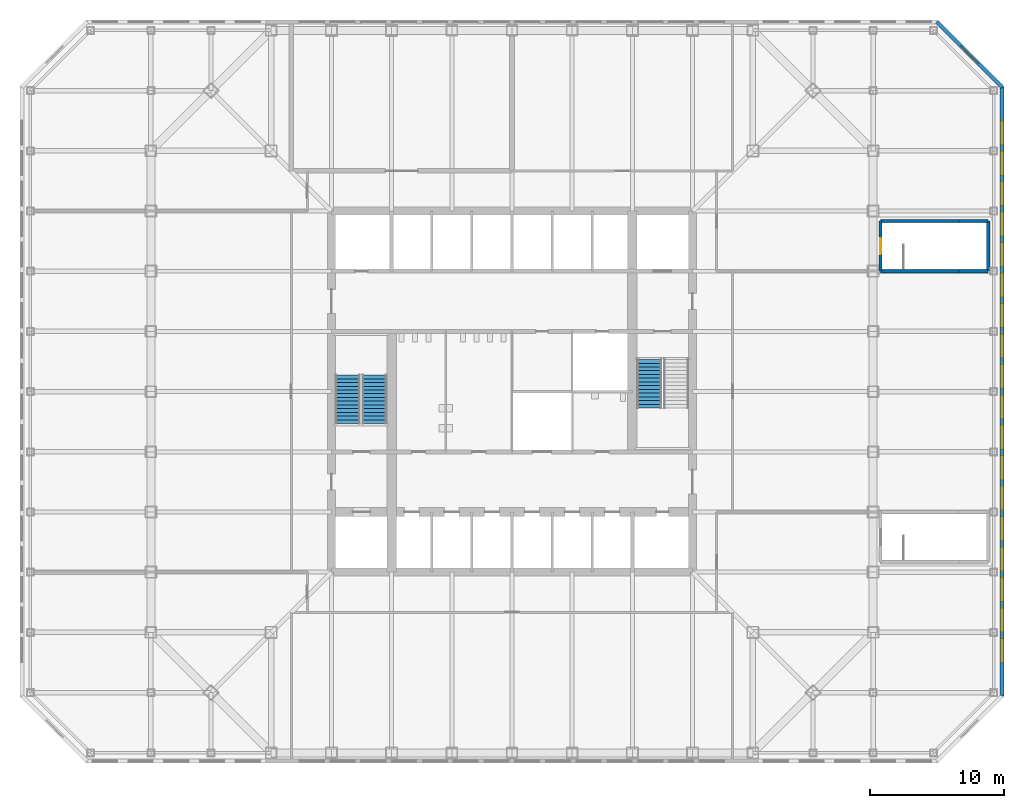
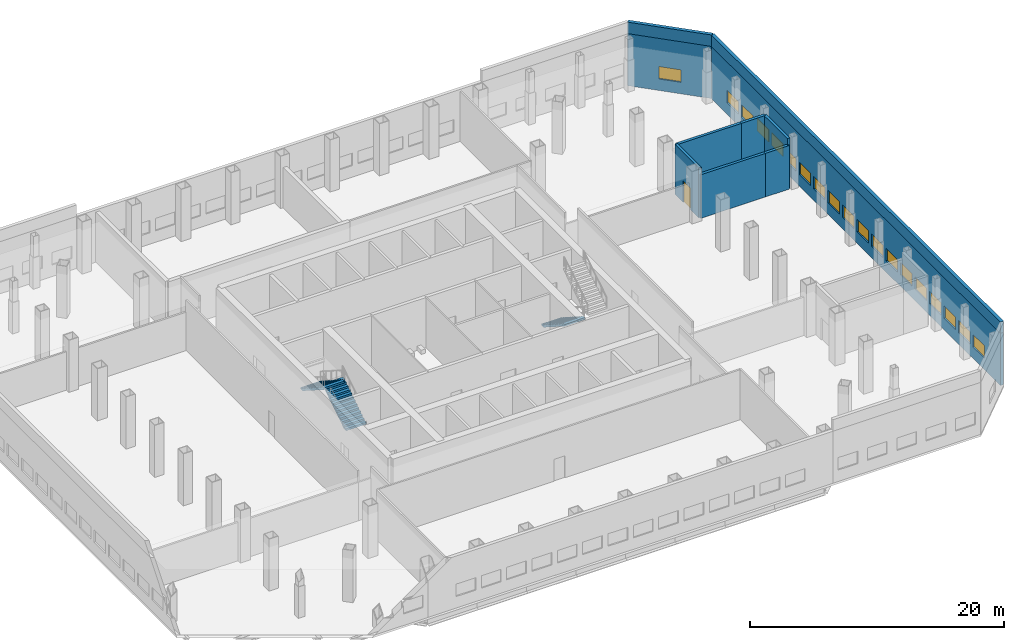
# One storey, part 11 of 14: 19 windows, 10 walls, 3 stair flights, 1 door, 20 openings, 2 elements without a shape of their own.
"""IFC4 building model written with IfcOpenShell, lengths in metres."""

from ifc_helpers import new_model, si_unit, direction, frame, frame_2d, origin, place, context, subcontext, project, spatial, polyline, rectangle, outline, extrude, material, layer, layer_set, type_object, element, fill, aggregate, save


model = new_model("IFC4")

# Units and contexts
model_context = context("Model", 3, precision=1e-05, world=origin(), true_north=direction((0.0, 1.0)))
body_context = subcontext(model_context, "Body", "Model", "MODEL_VIEW")
ifc_project = project(units=[si_unit("LENGTHUNIT", "METRE"), si_unit("AREAUNIT", "SQUARE_METRE"), si_unit("VOLUMEUNIT", "CUBIC_METRE"), si_unit("PLANEANGLEUNIT", "RADIAN"), si_unit("MASSUNIT", "GRAM", prefix="KILO")], contexts=[model_context])

# Site, building, storey
site_placement = place(None, origin())
site = spatial("IfcSite", under=ifc_project, at=site_placement, CompositionType="ELEMENT")
building_placement = place(site_placement, origin())
building = spatial("IfcBuilding", under=site, at=building_placement, Name="Corais Broadcast Tower", CompositionType="ELEMENT")
storey_placement = place(building_placement, frame((0.0, 0.0, 18.0)))
storey = spatial("IfcBuildingStorey", under=building, at=storey_placement, Name="L03", CompositionType="ELEMENT", Elevation=18.0)

# Walls
ifc_material_1 = material(Name="Precast concrete C40/50", Category="concrete")
ifc_layer_1 = layer(ifc_material_1, 0.300048828125)
ifc_layer_set_1 = layer_set([ifc_layer_1], Name="Precast concrete C40/50")
wall_type_1 = type_object("IfcWallType", Name="Parapet wall 300", PredefinedType="PARAPET", material=ifc_layer_set_1)
wall_1_placement = place(storey_placement, frame((58.760986328125, 54.6298828125, 5.0), z_axis=(0.0, 0.0, 1.0), x_axis=(0.707106781187, -0.707106781187, 0.0)))
element("IfcWall", 1, at=wall_1_placement, inside=storey, type_object=wall_type_1, Name="PW1 parapet L03", PredefinedType="PARAPET", context=body_context, shape_type="SweptSolid", body=[
    extrude(rectangle(XDim=6.8857421875, YDim=0.300048828125, at=frame_2d((3.44287109375, 0.0))), origin(), (0.0, 0.0, 1.0), 1.10009765625),
])
wall_2_placement = place(storey_placement, frame((63.6298828125, 49.760986328125, 5.0), z_axis=(0.0, 0.0, 1.0), x_axis=(0.0, -1.0, 0.0)))
element("IfcWall", 2, at=wall_2_placement, inside=storey, type_object=wall_type_1, Name="PW1 parapet L03", PredefinedType="PARAPET", context=body_context, shape_type="SweptSolid", body=[
    extrude(rectangle(XDim=45.52197265625, YDim=0.300048828125, at=frame_2d((22.760986328125, 0.0))), origin(), (0.0, 0.0, 1.0), 1.10009765625),
])
ifc_material_2 = material(Name="Concrete blockwork class A", Category="masonry")
ifc_layer_2 = layer(ifc_material_2, 0.25)
ifc_layer_set_2 = layer_set([ifc_layer_2], Name="Concrete blockwork class A")
wall_type_2 = type_object("IfcWallType", Name="Stair enclosure blockwork 250", PredefinedType="PARTITIONING", material=ifc_layer_set_2)
wall_3_placement = place(storey_placement, frame((54.550048828125, 36.0, 0.0), z_axis=(0.0, 0.0, 1.0), x_axis=(1.0, 0.0, 0.0)))
element("IfcWall", 3, at=wall_3_placement, inside=storey, type_object=wall_type_2, Name="IW6 stair E enclosure L03", PredefinedType="PARTITIONING", context=body_context, shape_type="SweptSolid", body=[
    extrude(rectangle(XDim=5.849853515625, YDim=0.25, at=frame_2d((2.9248046875, 0.0))), origin(), (0.0, 0.0, 1.0), 4.18896484375),
])
wall_4_placement = place(storey_placement, frame((60.39990234375, 39.75, 0.0), z_axis=(0.0, 0.0, 1.0), x_axis=(-1.0, 0.0, 0.0)))
element("IfcWall", 4, at=wall_4_placement, inside=storey, type_object=wall_type_2, Name="IW6 stair E enclosure L03", PredefinedType="PARTITIONING", context=body_context, shape_type="SweptSolid", body=[
    extrude(rectangle(XDim=5.849853515625, YDim=0.25, at=frame_2d((2.9248046875, 0.0))), origin(), (0.0, 0.0, 1.0), 4.800048828125),
])

# Wall, opening, door
wall_5_placement = place(storey_placement, frame((54.550048828125, 39.75, 0.0), z_axis=(0.0, 0.0, 1.0), x_axis=(0.0, -1.0, 0.0)))
wall_5 = element("IfcWall", 5, at=wall_5_placement, inside=storey, type_object=wall_type_2, Name="IW6 stair E enclosure L03", PredefinedType="PARTITIONING", context=body_context, shape_type="SweptSolid", body=[
    extrude(rectangle(XDim=3.75, YDim=0.25, at=frame_2d((1.875, 0.0))), origin(), (0.0, 0.0, 1.0), 4.800048828125),
])
opening_1_placement = place(wall_5_placement, frame((1.27490234375, 0.0, 0.0)))
opening_1 = element("IfcOpeningElement", 6, at=opening_1_placement, cuts=wall_5, Name="Opening FD1", PredefinedType="OPENING", context=body_context, shape_type="SweptSolid", body=[
    extrude(rectangle(XDim=1.199951171875, YDim=2.10009765625, at=frame_2d((0.60009765625, 1.050048828125))), frame((0.0, 0.135009765625, 0.0), z_axis=(0.0, -1.0, 0.0), x_axis=(1.0, 0.0, 0.0)), (0.0, 0.0, 1.0), 0.27001953125),
])
ifc_material_3 = material(Name="Steel fire door", Category="steel")
door_type = type_object("IfcDoorType", Name="Fire door 1200x2100", OperationType="SINGLE_SWING_LEFT", PredefinedType="DOOR", material=ifc_material_3)
door_placement = place(opening_1_placement, origin())
door = element("IfcDoor", 7, at=door_placement, inside=storey, type_object=door_type, Name="FD1 stair E door L03", OperationType="SINGLE_SWING_LEFT", OverallHeight=2.10009765625, OverallWidth=1.199951171875, PredefinedType="DOOR", context=body_context, shape_type="SweptSolid", body=[
    extrude(rectangle(XDim=1.199951171875, YDim=2.10009765625, at=frame_2d((0.60009765625, 1.050048828125))), frame((0.0, 0.02490234375, 0.0), z_axis=(0.0, -1.0, 0.0), x_axis=(1.0, 0.0, 0.0)), (0.0, 0.0, 1.0), 0.050048828125),
])
fill(opening_1, door)

# Walls
ifc_material_4 = material(Name="Concrete C40/50", Category="concrete")
ifc_layer_3 = layer(ifc_material_4, 0.25)
ifc_layer_set_3 = layer_set([ifc_layer_3], Name="Concrete C40/50")
wall_type_3 = type_object("IfcWallType", Name="Stair enclosure wall 250", PredefinedType="SOLIDWALL", material=ifc_layer_set_3)
wall_6_placement = place(storey_placement, frame((60.39990234375, 36.0, 0.0), z_axis=(0.0, 0.0, 1.0), x_axis=(1.0, 0.0, 0.0)))
element("IfcWall", 8, at=wall_6_placement, inside=storey, type_object=wall_type_3, Name="IW5 stair E enclosure L03", PredefinedType="SOLIDWALL", context=body_context, shape_type="SweptSolid", body=[
    extrude(rectangle(XDim=2.2001953125, YDim=0.25, at=frame_2d((1.10009765625, 0.0))), origin(), (0.0, 0.0, 1.0), 4.18896484375),
])
wall_7_placement = place(storey_placement, frame((62.60009765625, 36.0, 0.0), z_axis=(0.0, 0.0, 1.0), x_axis=(0.0, 1.0, 0.0)))
element("IfcWall", 9, at=wall_7_placement, inside=storey, type_object=wall_type_3, Name="IW5 stair E enclosure L03", PredefinedType="SOLIDWALL", context=body_context, shape_type="SweptSolid", body=[
    extrude(rectangle(XDim=3.75, YDim=0.25, at=frame_2d((1.875, 0.0))), origin(), (0.0, 0.0, 1.0), 4.800048828125),
])
wall_8_placement = place(storey_placement, frame((62.60009765625, 39.75, 0.0), z_axis=(0.0, 0.0, 1.0), x_axis=(-1.0, 0.0, 0.0)))
element("IfcWall", 10, at=wall_8_placement, inside=storey, type_object=wall_type_3, Name="IW5 stair E enclosure L03", PredefinedType="SOLIDWALL", context=body_context, shape_type="SweptSolid", body=[
    extrude(rectangle(XDim=2.2001953125, YDim=0.25, at=frame_2d((1.10009765625, 0.0))), origin(), (0.0, 0.0, 1.0), 4.800048828125),
])

# Wall, opening, window
ifc_material_5 = material(Name="Precast concrete C40/50", Category="concrete")
ifc_layer_4 = layer(ifc_material_5, 0.300048828125)
ifc_layer_set_4 = layer_set([ifc_layer_4], Name="Precast concrete C40/50")
wall_type_4 = type_object("IfcWallType", Name="Stone-faced precast wall 300", PredefinedType="SOLIDWALL", material=ifc_layer_set_4)
wall_9_placement = place(storey_placement, frame((58.760986328125, 54.6298828125, 0.0), z_axis=(0.0, 0.0, 1.0), x_axis=(0.707106781187, -0.707106781187, 0.0)))
wall_9 = element("IfcWall", 11, at=wall_9_placement, inside=storey, type_object=wall_type_4, Name="EW1 external wall L03 5", PredefinedType="SOLIDWALL", context=body_context, shape_type="SweptSolid", body=[
    extrude(rectangle(XDim=6.8857421875, YDim=0.300048828125, at=frame_2d((3.44287109375, 0.0))), origin(), (0.0, 0.0, 1.0), 5.0),
])
opening_2_placement = place(wall_9_placement, frame((2.54296875, 0.0, 1.10009765625)))
opening_2 = element("IfcOpeningElement", 12, at=opening_2_placement, cuts=wall_9, Name="Opening W1", PredefinedType="OPENING", context=body_context, shape_type="SweptSolid", body=[
    extrude(rectangle(XDim=1.800048828125, YDim=1.199951171875, at=frame_2d((0.89990234375, 0.60009765625))), frame((0.0, 0.159912109375, 0.0), z_axis=(0.0, -1.0, 0.0), x_axis=(1.0, 0.0, 0.0)), (0.0, 0.0, 1.0), 0.320068359375),
])
ifc_material_6 = material(Name="Aluminium frame", Category="aluminium")
window_type = type_object("IfcWindowType", Name="Fixed window 1800x1200", PartitioningType="SINGLE_PANEL", PredefinedType="WINDOW", material=ifc_material_6)
window_1_placement = place(opening_2_placement, origin())
window_1 = element("IfcWindow", 13, at=window_1_placement, inside=storey, type_object=window_type, Name="W1 window L03", OverallHeight=1.199951171875, OverallWidth=1.800048828125, PartitioningType="SINGLE_PANEL", PredefinedType="WINDOW", context=body_context, shape_type="SweptSolid", body=[
    extrude(rectangle(XDim=1.800048828125, YDim=1.199951171875, at=frame_2d((0.89990234375, 0.60009765625))), frame((0.0, 0.030029296875, 0.0), z_axis=(0.0, -1.0, 0.0), x_axis=(1.0, 0.0, 0.0)), (0.0, 0.0, 1.0), 0.06005859375),
])
fill(opening_2, window_1)

# Wall, openings, windows
wall_10_placement = place(storey_placement, frame((63.6298828125, 49.760986328125, 0.0), z_axis=(0.0, 0.0, 1.0), x_axis=(0.0, -1.0, 0.0)))
wall_10 = element("IfcWall", 14, at=wall_10_placement, inside=storey, type_object=wall_type_4, Name="EW1 external wall L03 6", PredefinedType="SOLIDWALL", context=body_context, shape_type="SweptSolid", body=[
    extrude(rectangle(XDim=45.52197265625, YDim=0.300048828125, at=frame_2d((22.760986328125, 0.0))), origin(), (0.0, 0.0, 1.0), 5.0),
])
opening_3_placement = place(wall_10_placement, frame((2.51416015625, 0.0, 1.10009765625)))
opening_3 = element("IfcOpeningElement", 15, at=opening_3_placement, cuts=wall_10, Name="Opening W1", PredefinedType="OPENING", context=body_context, shape_type="SweptSolid", body=[
    extrude(rectangle(XDim=1.800048828125, YDim=1.199951171875, at=frame_2d((0.89990234375, 0.60009765625))), frame((0.0, 0.159912109375, 0.0), z_axis=(0.0, -1.0, 0.0), x_axis=(1.0, 0.0, 0.0)), (0.0, 0.0, 1.0), 0.320068359375),
])
opening_4_placement = place(wall_10_placement, frame((4.790283203125, 0.0, 1.10009765625)))
opening_4 = element("IfcOpeningElement", 16, at=opening_4_placement, cuts=wall_10, Name="Opening W1", PredefinedType="OPENING", context=body_context, shape_type="SweptSolid", body=[
    extrude(rectangle(XDim=1.800048828125, YDim=1.199951171875, at=frame_2d((0.89990234375, 0.60009765625))), frame((0.0, 0.159912109375, 0.0), z_axis=(0.0, -1.0, 0.0), x_axis=(1.0, 0.0, 0.0)), (0.0, 0.0, 1.0), 0.320068359375),
])
opening_5_placement = place(wall_10_placement, frame((7.06640625, 0.0, 1.10009765625)))
opening_5 = element("IfcOpeningElement", 17, at=opening_5_placement, cuts=wall_10, Name="Opening W1", PredefinedType="OPENING", context=body_context, shape_type="SweptSolid", body=[
    extrude(rectangle(XDim=1.800048828125, YDim=1.199951171875, at=frame_2d((0.89990234375, 0.60009765625))), frame((0.0, 0.159912109375, 0.0), z_axis=(0.0, -1.0, 0.0), x_axis=(1.0, 0.0, 0.0)), (0.0, 0.0, 1.0), 0.320068359375),
])
opening_6_placement = place(wall_10_placement, frame((9.342529296875, 0.0, 1.10009765625)))
opening_6 = element("IfcOpeningElement", 18, at=opening_6_placement, cuts=wall_10, Name="Opening W1", PredefinedType="OPENING", context=body_context, shape_type="SweptSolid", body=[
    extrude(rectangle(XDim=1.800048828125, YDim=1.199951171875, at=frame_2d((0.89990234375, 0.60009765625))), frame((0.0, 0.159912109375, 0.0), z_axis=(0.0, -1.0, 0.0), x_axis=(1.0, 0.0, 0.0)), (0.0, 0.0, 1.0), 0.320068359375),
])
opening_7_placement = place(wall_10_placement, frame((11.61865234375, 0.0, 1.10009765625)))
opening_7 = element("IfcOpeningElement", 19, at=opening_7_placement, cuts=wall_10, Name="Opening W1", PredefinedType="OPENING", context=body_context, shape_type="SweptSolid", body=[
    extrude(rectangle(XDim=1.800048828125, YDim=1.199951171875, at=frame_2d((0.89990234375, 0.60009765625))), frame((0.0, 0.159912109375, 0.0), z_axis=(0.0, -1.0, 0.0), x_axis=(1.0, 0.0, 0.0)), (0.0, 0.0, 1.0), 0.320068359375),
])
opening_8_placement = place(wall_10_placement, frame((13.89453125, 0.0, 1.10009765625)))
opening_8 = element("IfcOpeningElement", 20, at=opening_8_placement, cuts=wall_10, Name="Opening W1", PredefinedType="OPENING", context=body_context, shape_type="SweptSolid", body=[
    extrude(rectangle(XDim=1.800048828125, YDim=1.199951171875, at=frame_2d((0.89990234375, 0.60009765625))), frame((0.0, 0.159912109375, 0.0), z_axis=(0.0, -1.0, 0.0), x_axis=(1.0, 0.0, 0.0)), (0.0, 0.0, 1.0), 0.320068359375),
])
opening_9_placement = place(wall_10_placement, frame((16.170654296875, 0.0, 1.10009765625)))
opening_9 = element("IfcOpeningElement", 21, at=opening_9_placement, cuts=wall_10, Name="Opening W1", PredefinedType="OPENING", context=body_context, shape_type="SweptSolid", body=[
    extrude(rectangle(XDim=1.800048828125, YDim=1.199951171875, at=frame_2d((0.89990234375, 0.60009765625))), frame((0.0, 0.159912109375, 0.0), z_axis=(0.0, -1.0, 0.0), x_axis=(1.0, 0.0, 0.0)), (0.0, 0.0, 1.0), 0.320068359375),
])
opening_10_placement = place(wall_10_placement, frame((18.44677734375, 0.0, 1.10009765625)))
opening_10 = element("IfcOpeningElement", 22, at=opening_10_placement, cuts=wall_10, Name="Opening W1", PredefinedType="OPENING", context=body_context, shape_type="SweptSolid", body=[
    extrude(rectangle(XDim=1.800048828125, YDim=1.199951171875, at=frame_2d((0.89990234375, 0.60009765625))), frame((0.0, 0.159912109375, 0.0), z_axis=(0.0, -1.0, 0.0), x_axis=(1.0, 0.0, 0.0)), (0.0, 0.0, 1.0), 0.320068359375),
])
opening_11_placement = place(wall_10_placement, frame((20.722900390625, 0.0, 1.10009765625)))
opening_11 = element("IfcOpeningElement", 23, at=opening_11_placement, cuts=wall_10, Name="Opening W1", PredefinedType="OPENING", context=body_context, shape_type="SweptSolid", body=[
    extrude(rectangle(XDim=1.800048828125, YDim=1.199951171875, at=frame_2d((0.89990234375, 0.60009765625))), frame((0.0, 0.159912109375, 0.0), z_axis=(0.0, -1.0, 0.0), x_axis=(1.0, 0.0, 0.0)), (0.0, 0.0, 1.0), 0.320068359375),
])
opening_12_placement = place(wall_10_placement, frame((22.9990234375, 0.0, 1.10009765625)))
opening_12 = element("IfcOpeningElement", 24, at=opening_12_placement, cuts=wall_10, Name="Opening W1", PredefinedType="OPENING", context=body_context, shape_type="SweptSolid", body=[
    extrude(rectangle(XDim=1.800048828125, YDim=1.199951171875, at=frame_2d((0.89990234375, 0.60009765625))), frame((0.0, 0.159912109375, 0.0), z_axis=(0.0, -1.0, 0.0), x_axis=(1.0, 0.0, 0.0)), (0.0, 0.0, 1.0), 0.320068359375),
])
opening_13_placement = place(wall_10_placement, frame((25.275146484375, 0.0, 1.10009765625)))
opening_13 = element("IfcOpeningElement", 25, at=opening_13_placement, cuts=wall_10, Name="Opening W1", PredefinedType="OPENING", context=body_context, shape_type="SweptSolid", body=[
    extrude(rectangle(XDim=1.800048828125, YDim=1.199951171875, at=frame_2d((0.89990234375, 0.60009765625))), frame((0.0, 0.159912109375, 0.0), z_axis=(0.0, -1.0, 0.0), x_axis=(1.0, 0.0, 0.0)), (0.0, 0.0, 1.0), 0.320068359375),
])
opening_14_placement = place(wall_10_placement, frame((27.55126953125, 0.0, 1.10009765625)))
opening_14 = element("IfcOpeningElement", 26, at=opening_14_placement, cuts=wall_10, Name="Opening W1", PredefinedType="OPENING", context=body_context, shape_type="SweptSolid", body=[
    extrude(rectangle(XDim=1.800048828125, YDim=1.199951171875, at=frame_2d((0.89990234375, 0.60009765625))), frame((0.0, 0.159912109375, 0.0), z_axis=(0.0, -1.0, 0.0), x_axis=(1.0, 0.0, 0.0)), (0.0, 0.0, 1.0), 0.320068359375),
])
opening_15_placement = place(wall_10_placement, frame((29.827392578125, 0.0, 1.10009765625)))
opening_15 = element("IfcOpeningElement", 27, at=opening_15_placement, cuts=wall_10, Name="Opening W1", PredefinedType="OPENING", context=body_context, shape_type="SweptSolid", body=[
    extrude(rectangle(XDim=1.800048828125, YDim=1.199951171875, at=frame_2d((0.89990234375, 0.60009765625))), frame((0.0, 0.159912109375, 0.0), z_axis=(0.0, -1.0, 0.0), x_axis=(1.0, 0.0, 0.0)), (0.0, 0.0, 1.0), 0.320068359375),
])
opening_16_placement = place(wall_10_placement, frame((32.103515625, 0.0, 1.10009765625)))
opening_16 = element("IfcOpeningElement", 28, at=opening_16_placement, cuts=wall_10, Name="Opening W1", PredefinedType="OPENING", context=body_context, shape_type="SweptSolid", body=[
    extrude(rectangle(XDim=1.800048828125, YDim=1.199951171875, at=frame_2d((0.89990234375, 0.60009765625))), frame((0.0, 0.159912109375, 0.0), z_axis=(0.0, -1.0, 0.0), x_axis=(1.0, 0.0, 0.0)), (0.0, 0.0, 1.0), 0.320068359375),
])
opening_17_placement = place(wall_10_placement, frame((34.379638671875, 0.0, 1.10009765625)))
opening_17 = element("IfcOpeningElement", 29, at=opening_17_placement, cuts=wall_10, Name="Opening W1", PredefinedType="OPENING", context=body_context, shape_type="SweptSolid", body=[
    extrude(rectangle(XDim=1.800048828125, YDim=1.199951171875, at=frame_2d((0.89990234375, 0.60009765625))), frame((0.0, 0.159912109375, 0.0), z_axis=(0.0, -1.0, 0.0), x_axis=(1.0, 0.0, 0.0)), (0.0, 0.0, 1.0), 0.320068359375),
])
opening_18_placement = place(wall_10_placement, frame((36.65576171875, 0.0, 1.10009765625)))
opening_18 = element("IfcOpeningElement", 30, at=opening_18_placement, cuts=wall_10, Name="Opening W1", PredefinedType="OPENING", context=body_context, shape_type="SweptSolid", body=[
    extrude(rectangle(XDim=1.800048828125, YDim=1.199951171875, at=frame_2d((0.89990234375, 0.60009765625))), frame((0.0, 0.159912109375, 0.0), z_axis=(0.0, -1.0, 0.0), x_axis=(1.0, 0.0, 0.0)), (0.0, 0.0, 1.0), 0.320068359375),
])
opening_19_placement = place(wall_10_placement, frame((38.931640625, 0.0, 1.10009765625)))
opening_19 = element("IfcOpeningElement", 31, at=opening_19_placement, cuts=wall_10, Name="Opening W1", PredefinedType="OPENING", context=body_context, shape_type="SweptSolid", body=[
    extrude(rectangle(XDim=1.800048828125, YDim=1.199951171875, at=frame_2d((0.89990234375, 0.60009765625))), frame((0.0, 0.159912109375, 0.0), z_axis=(0.0, -1.0, 0.0), x_axis=(1.0, 0.0, 0.0)), (0.0, 0.0, 1.0), 0.320068359375),
])
opening_20_placement = place(wall_10_placement, frame((41.207763671875, 0.0, 1.10009765625)))
opening_20 = element("IfcOpeningElement", 32, at=opening_20_placement, cuts=wall_10, Name="Opening W1", PredefinedType="OPENING", context=body_context, shape_type="SweptSolid", body=[
    extrude(rectangle(XDim=1.800048828125, YDim=1.199951171875, at=frame_2d((0.89990234375, 0.60009765625))), frame((0.0, 0.159912109375, 0.0), z_axis=(0.0, -1.0, 0.0), x_axis=(1.0, 0.0, 0.0)), (0.0, 0.0, 1.0), 0.320068359375),
])
window_2_placement = place(opening_3_placement, origin())
window_2 = element("IfcWindow", 33, at=window_2_placement, inside=storey, type_object=window_type, Name="W1 window L03", OverallHeight=1.199951171875, OverallWidth=1.800048828125, PartitioningType="SINGLE_PANEL", PredefinedType="WINDOW", context=body_context, shape_type="SweptSolid", body=[
    extrude(rectangle(XDim=1.800048828125, YDim=1.199951171875, at=frame_2d((0.89990234375, 0.60009765625))), frame((0.0, 0.030029296875, 0.0), z_axis=(0.0, -1.0, 0.0), x_axis=(1.0, 0.0, 0.0)), (0.0, 0.0, 1.0), 0.06005859375),
])
fill(opening_3, window_2)
window_3_placement = place(opening_4_placement, origin())
window_3 = element("IfcWindow", 34, at=window_3_placement, inside=storey, type_object=window_type, Name="W1 window L03", OverallHeight=1.199951171875, OverallWidth=1.800048828125, PartitioningType="SINGLE_PANEL", PredefinedType="WINDOW", context=body_context, shape_type="SweptSolid", body=[
    extrude(rectangle(XDim=1.800048828125, YDim=1.199951171875, at=frame_2d((0.89990234375, 0.60009765625))), frame((0.0, 0.030029296875, 0.0), z_axis=(0.0, -1.0, 0.0), x_axis=(1.0, 0.0, 0.0)), (0.0, 0.0, 1.0), 0.06005859375),
])
fill(opening_4, window_3)
window_4_placement = place(opening_5_placement, origin())
window_4 = element("IfcWindow", 35, at=window_4_placement, inside=storey, type_object=window_type, Name="W1 window L03", OverallHeight=1.199951171875, OverallWidth=1.800048828125, PartitioningType="SINGLE_PANEL", PredefinedType="WINDOW", context=body_context, shape_type="SweptSolid", body=[
    extrude(rectangle(XDim=1.800048828125, YDim=1.199951171875, at=frame_2d((0.89990234375, 0.60009765625))), frame((0.0, 0.030029296875, 0.0), z_axis=(0.0, -1.0, 0.0), x_axis=(1.0, 0.0, 0.0)), (0.0, 0.0, 1.0), 0.06005859375),
])
fill(opening_5, window_4)
window_5_placement = place(opening_6_placement, origin())
window_5 = element("IfcWindow", 36, at=window_5_placement, inside=storey, type_object=window_type, Name="W1 window L03", OverallHeight=1.199951171875, OverallWidth=1.800048828125, PartitioningType="SINGLE_PANEL", PredefinedType="WINDOW", context=body_context, shape_type="SweptSolid", body=[
    extrude(rectangle(XDim=1.800048828125, YDim=1.199951171875, at=frame_2d((0.89990234375, 0.60009765625))), frame((0.0, 0.030029296875, 0.0), z_axis=(0.0, -1.0, 0.0), x_axis=(1.0, 0.0, 0.0)), (0.0, 0.0, 1.0), 0.06005859375),
])
fill(opening_6, window_5)
window_6_placement = place(opening_7_placement, origin())
window_6 = element("IfcWindow", 37, at=window_6_placement, inside=storey, type_object=window_type, Name="W1 window L03", OverallHeight=1.199951171875, OverallWidth=1.800048828125, PartitioningType="SINGLE_PANEL", PredefinedType="WINDOW", context=body_context, shape_type="SweptSolid", body=[
    extrude(rectangle(XDim=1.800048828125, YDim=1.199951171875, at=frame_2d((0.89990234375, 0.60009765625))), frame((0.0, 0.030029296875, 0.0), z_axis=(0.0, -1.0, 0.0), x_axis=(1.0, 0.0, 0.0)), (0.0, 0.0, 1.0), 0.06005859375),
])
fill(opening_7, window_6)
window_7_placement = place(opening_8_placement, origin())
window_7 = element("IfcWindow", 38, at=window_7_placement, inside=storey, type_object=window_type, Name="W1 window L03", OverallHeight=1.199951171875, OverallWidth=1.800048828125, PartitioningType="SINGLE_PANEL", PredefinedType="WINDOW", context=body_context, shape_type="SweptSolid", body=[
    extrude(rectangle(XDim=1.800048828125, YDim=1.199951171875, at=frame_2d((0.89990234375, 0.60009765625))), frame((0.0, 0.030029296875, 0.0), z_axis=(0.0, -1.0, 0.0), x_axis=(1.0, 0.0, 0.0)), (0.0, 0.0, 1.0), 0.06005859375),
])
fill(opening_8, window_7)
window_8_placement = place(opening_9_placement, origin())
window_8 = element("IfcWindow", 39, at=window_8_placement, inside=storey, type_object=window_type, Name="W1 window L03", OverallHeight=1.199951171875, OverallWidth=1.800048828125, PartitioningType="SINGLE_PANEL", PredefinedType="WINDOW", context=body_context, shape_type="SweptSolid", body=[
    extrude(rectangle(XDim=1.800048828125, YDim=1.199951171875, at=frame_2d((0.89990234375, 0.60009765625))), frame((0.0, 0.030029296875, 0.0), z_axis=(0.0, -1.0, 0.0), x_axis=(1.0, 0.0, 0.0)), (0.0, 0.0, 1.0), 0.06005859375),
])
fill(opening_9, window_8)
window_9_placement = place(opening_10_placement, origin())
window_9 = element("IfcWindow", 40, at=window_9_placement, inside=storey, type_object=window_type, Name="W1 window L03", OverallHeight=1.199951171875, OverallWidth=1.800048828125, PartitioningType="SINGLE_PANEL", PredefinedType="WINDOW", context=body_context, shape_type="SweptSolid", body=[
    extrude(rectangle(XDim=1.800048828125, YDim=1.199951171875, at=frame_2d((0.89990234375, 0.60009765625))), frame((0.0, 0.030029296875, 0.0), z_axis=(0.0, -1.0, 0.0), x_axis=(1.0, 0.0, 0.0)), (0.0, 0.0, 1.0), 0.06005859375),
])
fill(opening_10, window_9)
window_10_placement = place(opening_11_placement, origin())
window_10 = element("IfcWindow", 41, at=window_10_placement, inside=storey, type_object=window_type, Name="W1 window L03", OverallHeight=1.199951171875, OverallWidth=1.800048828125, PartitioningType="SINGLE_PANEL", PredefinedType="WINDOW", context=body_context, shape_type="SweptSolid", body=[
    extrude(rectangle(XDim=1.800048828125, YDim=1.199951171875, at=frame_2d((0.89990234375, 0.60009765625))), frame((0.0, 0.030029296875, 0.0), z_axis=(0.0, -1.0, 0.0), x_axis=(1.0, 0.0, 0.0)), (0.0, 0.0, 1.0), 0.06005859375),
])
fill(opening_11, window_10)
window_11_placement = place(opening_12_placement, origin())
window_11 = element("IfcWindow", 42, at=window_11_placement, inside=storey, type_object=window_type, Name="W1 window L03", OverallHeight=1.199951171875, OverallWidth=1.800048828125, PartitioningType="SINGLE_PANEL", PredefinedType="WINDOW", context=body_context, shape_type="SweptSolid", body=[
    extrude(rectangle(XDim=1.800048828125, YDim=1.199951171875, at=frame_2d((0.89990234375, 0.60009765625))), frame((0.0, 0.030029296875, 0.0), z_axis=(0.0, -1.0, 0.0), x_axis=(1.0, 0.0, 0.0)), (0.0, 0.0, 1.0), 0.06005859375),
])
fill(opening_12, window_11)
window_12_placement = place(opening_13_placement, origin())
window_12 = element("IfcWindow", 43, at=window_12_placement, inside=storey, type_object=window_type, Name="W1 window L03", OverallHeight=1.199951171875, OverallWidth=1.800048828125, PartitioningType="SINGLE_PANEL", PredefinedType="WINDOW", context=body_context, shape_type="SweptSolid", body=[
    extrude(rectangle(XDim=1.800048828125, YDim=1.199951171875, at=frame_2d((0.89990234375, 0.60009765625))), frame((0.0, 0.030029296875, 0.0), z_axis=(0.0, -1.0, 0.0), x_axis=(1.0, 0.0, 0.0)), (0.0, 0.0, 1.0), 0.06005859375),
])
fill(opening_13, window_12)
window_13_placement = place(opening_14_placement, origin())
window_13 = element("IfcWindow", 44, at=window_13_placement, inside=storey, type_object=window_type, Name="W1 window L03", OverallHeight=1.199951171875, OverallWidth=1.800048828125, PartitioningType="SINGLE_PANEL", PredefinedType="WINDOW", context=body_context, shape_type="SweptSolid", body=[
    extrude(rectangle(XDim=1.800048828125, YDim=1.199951171875, at=frame_2d((0.89990234375, 0.60009765625))), frame((0.0, 0.030029296875, 0.0), z_axis=(0.0, -1.0, 0.0), x_axis=(1.0, 0.0, 0.0)), (0.0, 0.0, 1.0), 0.06005859375),
])
fill(opening_14, window_13)
window_14_placement = place(opening_15_placement, origin())
window_14 = element("IfcWindow", 45, at=window_14_placement, inside=storey, type_object=window_type, Name="W1 window L03", OverallHeight=1.199951171875, OverallWidth=1.800048828125, PartitioningType="SINGLE_PANEL", PredefinedType="WINDOW", context=body_context, shape_type="SweptSolid", body=[
    extrude(rectangle(XDim=1.800048828125, YDim=1.199951171875, at=frame_2d((0.89990234375, 0.60009765625))), frame((0.0, 0.030029296875, 0.0), z_axis=(0.0, -1.0, 0.0), x_axis=(1.0, 0.0, 0.0)), (0.0, 0.0, 1.0), 0.06005859375),
])
fill(opening_15, window_14)
window_15_placement = place(opening_16_placement, origin())
window_15 = element("IfcWindow", 46, at=window_15_placement, inside=storey, type_object=window_type, Name="W1 window L03", OverallHeight=1.199951171875, OverallWidth=1.800048828125, PartitioningType="SINGLE_PANEL", PredefinedType="WINDOW", context=body_context, shape_type="SweptSolid", body=[
    extrude(rectangle(XDim=1.800048828125, YDim=1.199951171875, at=frame_2d((0.89990234375, 0.60009765625))), frame((0.0, 0.030029296875, 0.0), z_axis=(0.0, -1.0, 0.0), x_axis=(1.0, 0.0, 0.0)), (0.0, 0.0, 1.0), 0.06005859375),
])
fill(opening_16, window_15)
window_16_placement = place(opening_17_placement, origin())
window_16 = element("IfcWindow", 47, at=window_16_placement, inside=storey, type_object=window_type, Name="W1 window L03", OverallHeight=1.199951171875, OverallWidth=1.800048828125, PartitioningType="SINGLE_PANEL", PredefinedType="WINDOW", context=body_context, shape_type="SweptSolid", body=[
    extrude(rectangle(XDim=1.800048828125, YDim=1.199951171875, at=frame_2d((0.89990234375, 0.60009765625))), frame((0.0, 0.030029296875, 0.0), z_axis=(0.0, -1.0, 0.0), x_axis=(1.0, 0.0, 0.0)), (0.0, 0.0, 1.0), 0.06005859375),
])
fill(opening_17, window_16)
window_17_placement = place(opening_18_placement, origin())
window_17 = element("IfcWindow", 48, at=window_17_placement, inside=storey, type_object=window_type, Name="W1 window L03", OverallHeight=1.199951171875, OverallWidth=1.800048828125, PartitioningType="SINGLE_PANEL", PredefinedType="WINDOW", context=body_context, shape_type="SweptSolid", body=[
    extrude(rectangle(XDim=1.800048828125, YDim=1.199951171875, at=frame_2d((0.89990234375, 0.60009765625))), frame((0.0, 0.030029296875, 0.0), z_axis=(0.0, -1.0, 0.0), x_axis=(1.0, 0.0, 0.0)), (0.0, 0.0, 1.0), 0.06005859375),
])
fill(opening_18, window_17)
window_18_placement = place(opening_19_placement, origin())
window_18 = element("IfcWindow", 49, at=window_18_placement, inside=storey, type_object=window_type, Name="W1 window L03", OverallHeight=1.199951171875, OverallWidth=1.800048828125, PartitioningType="SINGLE_PANEL", PredefinedType="WINDOW", context=body_context, shape_type="SweptSolid", body=[
    extrude(rectangle(XDim=1.800048828125, YDim=1.199951171875, at=frame_2d((0.89990234375, 0.60009765625))), frame((0.0, 0.030029296875, 0.0), z_axis=(0.0, -1.0, 0.0), x_axis=(1.0, 0.0, 0.0)), (0.0, 0.0, 1.0), 0.06005859375),
])
fill(opening_19, window_18)
window_19_placement = place(opening_20_placement, origin())
window_19 = element("IfcWindow", 50, at=window_19_placement, inside=storey, type_object=window_type, Name="W1 window L03", OverallHeight=1.199951171875, OverallWidth=1.800048828125, PartitioningType="SINGLE_PANEL", PredefinedType="WINDOW", context=body_context, shape_type="SweptSolid", body=[
    extrude(rectangle(XDim=1.800048828125, YDim=1.199951171875, at=frame_2d((0.89990234375, 0.60009765625))), frame((0.0, 0.030029296875, 0.0), z_axis=(0.0, -1.0, 0.0), x_axis=(1.0, 0.0, 0.0)), (0.0, 0.0, 1.0), 0.06005859375),
])
fill(opening_20, window_19)

# Stair, stair flights
ifc_material_7 = material(Name="Concrete C30/37", Category="concrete")
stair_type = type_object("IfcStairType", Name="Half-turn stair 5000", PredefinedType="HALF_TURN_STAIR", material=ifc_material_7)
stair_1_placement = place(storey_placement, origin())
stair_1 = element("IfcStair", 51, at=stair_1_placement, inside=storey, type_object=stair_type, Name="Stair A L03", PredefinedType="HALF_TURN_STAIR")
ifc_material_8 = material(Name="Concrete C30/37", Category="concrete")
stair_flight_type = type_object("IfcStairFlightType", Name="Stair flight 5000", PredefinedType="STRAIGHT", material=ifc_material_8)
stair_flight_1_placement = place(storey_placement, frame((16.72509765625, 24.60009765625, 0.0), z_axis=(0.0, 0.0, 1.0), x_axis=(0.0, 1.0, 0.0)))
stair_flight_1 = element("IfcStairFlight", 52, at=stair_flight_1_placement, type_object=stair_flight_type, Name="STA flight 1", NumberOfRisers=14, NumberOfTreads=13, PredefinedType="STRAIGHT", RiserHeight=0.178571429, TreadLength=0.28, context=body_context, shape_type="SweptSolid", body=[
    extrude(outline(polyline([(0.0, 0.0), (0.0, 0.178466796875), (0.280029296875, 0.178466796875), (0.280029296875, 0.357177734375), (0.56005859375, 0.357177734375), (0.56005859375, 0.53564453125), (0.840087890625, 0.53564453125), (0.840087890625, 0.71435546875), (1.1201171875, 0.71435546875), (1.1201171875, 0.892822265625), (1.39990234375, 0.892822265625), (1.39990234375, 1.071533203125), (1.679931640625, 1.071533203125), (1.679931640625, 1.25), (1.9599609375, 1.25), (1.9599609375, 1.428466796875), (2.239990234375, 1.428466796875), (2.239990234375, 1.607177734375), (2.52001953125, 1.607177734375), (2.52001953125, 1.78564453125), (2.800048828125, 1.78564453125), (2.800048828125, 1.96435546875), (3.080078125, 1.96435546875), (3.080078125, 2.142822265625), (3.360107421875, 2.142822265625), (3.360107421875, 2.321533203125), (3.639892578125, 2.321533203125), (3.639892578125, 2.5), (3.639892578125, 2.1435546875), (0.27880859375, 0.0), (0.0, 0.0)])), frame((0.0, 0.925048828125, 0.0), z_axis=(0.0, -1.0, 0.0), x_axis=(1.0, 0.0, 0.0)), (0.0, 0.0, 1.0), 1.85009765625),
])
stair_flight_2_placement = place(storey_placement, frame((14.72509765625, 28.239990234375, 2.5), z_axis=(0.0, 0.0, 1.0), x_axis=(0.0, -1.0, 0.0)))
stair_flight_2 = element("IfcStairFlight", 53, at=stair_flight_2_placement, type_object=stair_flight_type, Name="STA flight 2", NumberOfRisers=14, NumberOfTreads=13, PredefinedType="STRAIGHT", RiserHeight=0.178571429, TreadLength=0.28, context=body_context, shape_type="SweptSolid", body=[
    extrude(outline(polyline([(0.0, 0.0), (0.0, 0.178466796875), (0.280029296875, 0.178466796875), (0.280029296875, 0.357177734375), (0.56005859375, 0.357177734375), (0.56005859375, 0.53564453125), (0.840087890625, 0.53564453125), (0.840087890625, 0.71435546875), (1.1201171875, 0.71435546875), (1.1201171875, 0.892822265625), (1.39990234375, 0.892822265625), (1.39990234375, 1.071533203125), (1.679931640625, 1.071533203125), (1.679931640625, 1.25), (1.9599609375, 1.25), (1.9599609375, 1.428466796875), (2.239990234375, 1.428466796875), (2.239990234375, 1.607177734375), (2.52001953125, 1.607177734375), (2.52001953125, 1.78564453125), (2.800048828125, 1.78564453125), (2.800048828125, 1.96435546875), (3.080078125, 1.96435546875), (3.080078125, 2.142822265625), (3.360107421875, 2.142822265625), (3.360107421875, 2.321533203125), (3.639892578125, 2.321533203125), (3.639892578125, 2.5), (3.639892578125, 2.1435546875), (0.27880859375, 0.0), (0.0, 0.0)])), frame((0.0, 0.925048828125, 0.0), z_axis=(0.0, -1.0, 0.0), x_axis=(1.0, 0.0, 0.0)), (0.0, 0.0, 1.0), 1.85009765625),
])
aggregate(stair_1, [stair_flight_1, stair_flight_2])

# Stair, stair flight
stair_2_placement = place(storey_placement, origin())
stair_2 = element("IfcStair", 54, at=stair_2_placement, inside=storey, type_object=stair_type, Name="Stair B L03", PredefinedType="HALF_TURN_STAIR")
stair_flight_3_placement = place(storey_placement, frame((37.27490234375, 29.39990234375, 0.0), z_axis=(0.0, 0.0, 1.0), x_axis=(0.0, -1.0, 0.0)))
stair_flight_3 = element("IfcStairFlight", 55, at=stair_flight_3_placement, type_object=stair_flight_type, Name="STB flight 1", NumberOfRisers=14, NumberOfTreads=13, PredefinedType="STRAIGHT", RiserHeight=0.178571429, TreadLength=0.28, context=body_context, shape_type="SweptSolid", body=[
    extrude(outline(polyline([(0.0, 0.0), (0.0, 0.178466796875), (0.280029296875, 0.178466796875), (0.280029296875, 0.357177734375), (0.56005859375, 0.357177734375), (0.56005859375, 0.53564453125), (0.840087890625, 0.53564453125), (0.840087890625, 0.71435546875), (1.1201171875, 0.71435546875), (1.1201171875, 0.892822265625), (1.39990234375, 0.892822265625), (1.39990234375, 1.071533203125), (1.679931640625, 1.071533203125), (1.679931640625, 1.25), (1.9599609375, 1.25), (1.9599609375, 1.428466796875), (2.239990234375, 1.428466796875), (2.239990234375, 1.607177734375), (2.52001953125, 1.607177734375), (2.52001953125, 1.78564453125), (2.800048828125, 1.78564453125), (2.800048828125, 1.96435546875), (3.080078125, 1.96435546875), (3.080078125, 2.142822265625), (3.360107421875, 2.142822265625), (3.360107421875, 2.321533203125), (3.639892578125, 2.321533203125), (3.639892578125, 2.5), (3.639892578125, 2.1435546875), (0.27880859375, 0.0), (0.0, 0.0)])), frame((0.0, 0.925048828125, 0.0), z_axis=(0.0, -1.0, 0.0), x_axis=(1.0, 0.0, 0.0)), (0.0, 0.0, 1.0), 1.85009765625),
])
aggregate(stair_2, [stair_flight_3])

save(model, "model.ifc")
